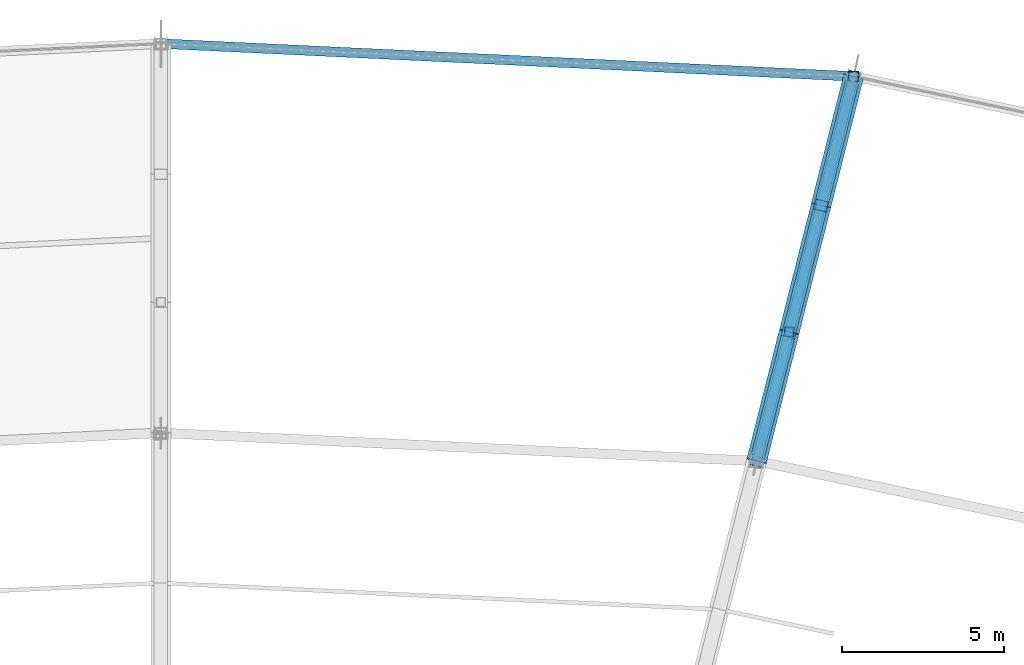
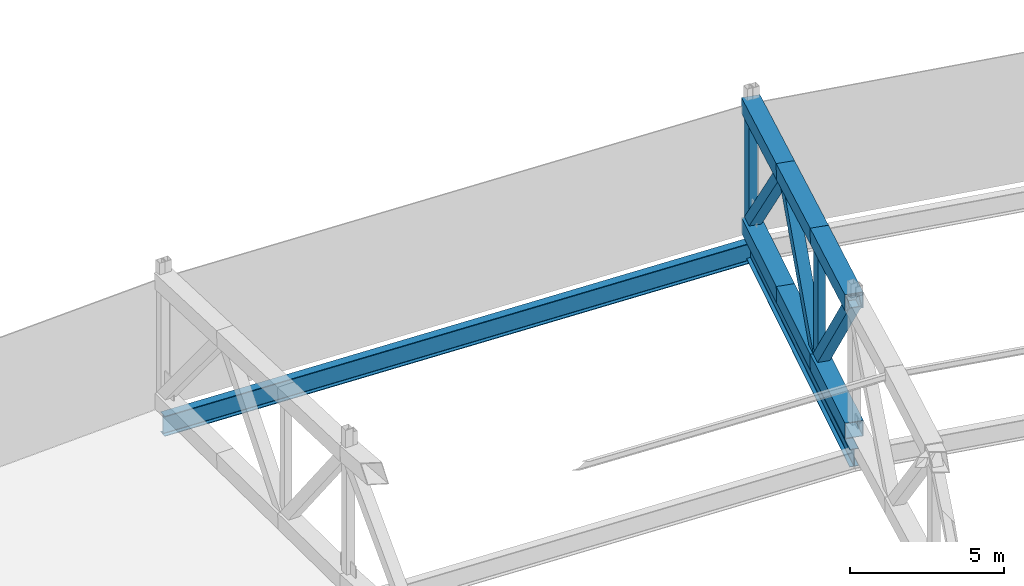
# One storey, part 83 of 162: 11 members, 2 beams.
"""IFC4 building model written with IfcOpenShell, lengths in metres."""

from ifc_helpers import new_model, si_unit, direction, frame, origin, origin_2d, place, context, subcontext, project, spatial, hollow_rectangle, i_section, extrude, material, material_profile, profile_set, type_object, element, save


model = new_model("IFC4")

# Units and contexts
model_context = context("Model", 3, precision=1e-05, world=origin(), true_north=direction((0.0, 1.0)))
body_context = subcontext(model_context, "Body", "Model", "MODEL_VIEW")
ifc_project = project(units=[si_unit("LENGTHUNIT", "METRE"), si_unit("AREAUNIT", "SQUARE_METRE"), si_unit("VOLUMEUNIT", "CUBIC_METRE"), si_unit("PLANEANGLEUNIT", "RADIAN"), si_unit("MASSUNIT", "GRAM", prefix="KILO")], contexts=[model_context])

# Site, building, storey
site_placement = place(None, origin())
site = spatial("IfcSite", under=ifc_project, at=site_placement, CompositionType="ELEMENT")
building_placement = place(site_placement, origin())
building = spatial("IfcBuilding", under=site, at=building_placement, Name="Kazemori Nagisa Stadium", CompositionType="ELEMENT")
storey_placement = place(building_placement, frame((0.0, 0.0, 36.719970703125)))
storey = spatial("IfcBuildingStorey", under=building, at=storey_placement, Name="RF", CompositionType="ELEMENT", Elevation=36.719970703125)

# Beams
ifc_material_1 = material(Name="Steel SN490B", Category="steel")
ifc_material_profile_1 = material_profile(ifc_material_1, i_section(OverallWidth=0.300048828125, OverallDepth=0.699951171875, WebThickness=0.012939453125, FlangeThickness=0.02392578125, FilletRadius=0.01806640625, at=origin_2d()), Name="H-700x300x13x24")
ifc_profile_set_1 = profile_set([ifc_material_profile_1], Name="Steel SN490B")
beam_type_1 = type_object("IfcBeamType", Name="Beam_BG-H700", PredefinedType="BEAM", material=ifc_profile_set_1)
beam_1_placement = place(storey_placement, frame((141.427734375, 175.088623046875, -0.6298828125), z_axis=(0.244487324834, 0.969652488263, 0.0), x_axis=(-0.969652488263, 0.244487324834, 0.0)))
element("IfcBeam", 1, at=beam_1_placement, inside=storey, type_object=beam_type_1, Name="Radial girder BG-H700 RF R2-R3-07", PredefinedType="BEAM", context=body_context, shape_type="SweptSolid", body=[
    extrude(i_section(OverallWidth=0.300048828125, OverallDepth=0.699951171875, WebThickness=0.012939453125, FlangeThickness=0.02392578125, FilletRadius=0.01806640625, at=origin_2d()), origin(), (0.0, 0.0, 1.0), 12.2705078125),
])
ifc_material_profile_2 = material_profile(ifc_material_1, i_section(OverallWidth=0.300048828125, OverallDepth=0.800048828125, WebThickness=0.013916015625, FlangeThickness=0.02587890625, FilletRadius=0.01806640625, at=origin_2d()), Name="H-800x300x14x26")
ifc_profile_set_2 = profile_set([ifc_material_profile_2], Name="Steel SN490B")
beam_type_2 = type_object("IfcBeamType", Name="Beam_BG-H800", PredefinedType="BEAM", material=ifc_profile_set_2)
beam_2_placement = place(storey_placement, frame((144.427734375, 186.98681640625, -0.679931640625), z_axis=(-0.998883994571, 0.047230979144, 0.0), x_axis=(-0.047230979144, -0.998883994571, 0.0)))
element("IfcBeam", 2, at=beam_2_placement, inside=storey, type_object=beam_type_2, Name="Roof compression ring beam BG-H800 R3-07", PredefinedType="BEAM", context=body_context, shape_type="SweptSolid", body=[
    extrude(i_section(OverallWidth=0.300048828125, OverallDepth=0.800048828125, WebThickness=0.013916015625, FlangeThickness=0.02587890625, FilletRadius=0.01806640625, at=origin_2d()), origin(), (0.0, 0.0, 1.0), 21.45166015625),
])

# Members
ifc_material_2 = material(Name="Steel STKR490", Category="steel")
ifc_material_profile_3 = material_profile(ifc_material_2, hollow_rectangle(XDim=0.419921875, YDim=0.419921875, WallThickness=0.01611328125, at=origin_2d()), Name="SHS-420x420x16")
ifc_profile_set_3 = profile_set([ifc_material_profile_3], Name="Steel STKR490")
member_type_1 = type_object("IfcMemberType", Name="Member_TB-SHS420", PredefinedType="BRACE", material=ifc_profile_set_3)
member_1_placement = place(storey_placement, frame((144.427734375, 186.98681640625, 0.360107421875), z_axis=(-0.1573210016, -0.623982765376, 0.76543818233), x_axis=(0.969655974534, -0.244473497644, 0.0)))
element("IfcMember", 3, at=member_1_placement, inside=storey, type_object=member_type_1, Name="Roof space truss diagonal RT-07-1", PredefinedType="BRACE", context=body_context, shape_type="SweptSolid", body=[
    extrude(hollow_rectangle(XDim=0.419921875, YDim=0.419921875, WallThickness=0.01611328125, at=origin_2d()), origin(), (0.0, 0.0, 1.0), 6.4013671875),
])
member_2_placement = place(storey_placement, frame((143.420654296875, 182.992431640625, 5.260009765625), z_axis=(-0.156881185303, -0.622124423045, -0.76703943572), x_axis=(0.969645363657, -0.244515579744, 0.0)))
element("IfcMember", 4, at=member_2_placement, inside=storey, type_object=member_type_1, Name="Roof space truss diagonal RT-07-2", PredefinedType="BRACE", context=body_context, shape_type="SweptSolid", body=[
    extrude(hollow_rectangle(XDim=0.419921875, YDim=0.419921875, WallThickness=0.01611328125, at=origin_2d()), origin(), (0.0, 0.0, 1.0), 6.283935546875),
])
member_3_placement = place(storey_placement, frame((142.434814453125, 179.0830078125, 0.43994140625), z_axis=(-0.153249104507, -0.607832387599, 0.779137022964), x_axis=(0.969655974534, -0.244473497644, 0.0)))
element("IfcMember", 5, at=member_3_placement, inside=storey, type_object=member_type_1, Name="Roof space truss diagonal RT-07-3", PredefinedType="BRACE", context=body_context, shape_type="SweptSolid", body=[
    extrude(hollow_rectangle(XDim=0.419921875, YDim=0.419921875, WallThickness=0.01611328125, at=origin_2d()), origin(), (0.0, 0.0, 1.0), 6.571533203125),
])
ifc_material_profile_4 = material_profile(ifc_material_2, hollow_rectangle(XDim=0.6201171875, YDim=0.6201171875, WallThickness=0.02197265625, at=origin_2d()), Name="SHS-620x620x22")
ifc_profile_set_4 = profile_set([ifc_material_profile_4], Name="Steel STKR490")
member_type_2 = type_object("IfcMemberType", Name="Member_TC-SHS620", PredefinedType="CHORD", material=ifc_profile_set_4)
member_4_placement = place(storey_placement, frame((144.427734375, 186.98681640625, 5.10009765625), z_axis=(-0.244289501149, -0.968926188677, 0.038790211698), x_axis=(0.969655974534, -0.244473497644, 0.0)))
element("IfcMember", 6, at=member_4_placement, inside=storey, type_object=member_type_2, Name="Roof space truss top chord RT-07-1", PredefinedType="CHORD", context=body_context, shape_type="SweptSolid", body=[
    extrude(hollow_rectangle(XDim=0.6201171875, YDim=0.6201171875, WallThickness=0.02197265625, at=origin_2d()), origin(), (0.0, 0.0, 1.0), 4.12255859375),
])
member_5_placement = place(storey_placement, frame((144.427734375, 186.98681640625, 0.360107421875), z_axis=(-0.244461950505, -0.969610175083, 0.009719214517), x_axis=(0.969655974534, -0.244473497644, 0.0)))
element("IfcMember", 7, at=member_5_placement, inside=storey, type_object=member_type_2, Name="Roof space truss bottom chord RT-07-1", PredefinedType="CHORD", context=body_context, shape_type="SweptSolid", body=[
    extrude(hollow_rectangle(XDim=0.6201171875, YDim=0.6201171875, WallThickness=0.02197265625, at=origin_2d()), origin(), (0.0, 0.0, 1.0), 4.11962890625),
])
member_6_placement = place(storey_placement, frame((143.420654296875, 182.992431640625, 5.260009765625), z_axis=(-0.244323479661, -0.968883575982, 0.039631470822), x_axis=(0.969645363657, -0.244515579744, 0.0)))
element("IfcMember", 8, at=member_6_placement, inside=storey, type_object=member_type_2, Name="Roof space truss top chord RT-07-2", PredefinedType="CHORD", context=body_context, shape_type="SweptSolid", body=[
    extrude(hollow_rectangle(XDim=0.6201171875, YDim=0.6201171875, WallThickness=0.02197265625, at=origin_2d()), origin(), (0.0, 0.0, 1.0), 4.034912109375),
])
member_7_placement = place(storey_placement, frame((143.420654296875, 182.992431640625, 0.400146484375), z_axis=(-0.244503670054, -0.969598134864, 0.009869761817), x_axis=(0.969645363657, -0.244515579744, 0.0)))
element("IfcMember", 9, at=member_7_placement, inside=storey, type_object=member_type_2, Name="Roof space truss bottom chord RT-07-2", PredefinedType="CHORD", context=body_context, shape_type="SweptSolid", body=[
    extrude(hollow_rectangle(XDim=0.6201171875, YDim=0.6201171875, WallThickness=0.02197265625, at=origin_2d()), origin(), (0.0, 0.0, 1.0), 4.031982421875),
])
member_8_placement = place(storey_placement, frame((142.434814453125, 179.0830078125, 5.419921875), z_axis=(-0.244332157838, -0.969095378035, 0.033999189963), x_axis=(0.969655974534, -0.244473497644, 0.0)))
element("IfcMember", 10, at=member_8_placement, inside=storey, type_object=member_type_2, Name="Roof space truss top chord RT-07-3", PredefinedType="CHORD", context=body_context, shape_type="SweptSolid", body=[
    extrude(hollow_rectangle(XDim=0.6201171875, YDim=0.6201171875, WallThickness=0.02197265625, at=origin_2d()), origin(), (0.0, 0.0, 1.0), 4.121826171875),
])
member_9_placement = place(storey_placement, frame((142.434814453125, 179.0830078125, 0.43994140625), z_axis=(-0.244461950505, -0.969610175083, 0.009719214517), x_axis=(0.969655974534, -0.244473497644, 0.0)))
element("IfcMember", 11, at=member_9_placement, inside=storey, type_object=member_type_2, Name="Roof space truss bottom chord RT-07-3", PredefinedType="CHORD", context=body_context, shape_type="SweptSolid", body=[
    extrude(hollow_rectangle(XDim=0.6201171875, YDim=0.6201171875, WallThickness=0.02197265625, at=origin_2d()), origin(), (0.0, 0.0, 1.0), 4.11962890625),
])
ifc_material_profile_5 = material_profile(ifc_material_2, hollow_rectangle(XDim=0.280029296875, YDim=0.280029296875, WallThickness=0.010009765625, at=origin_2d()), Name="SHS-280x280x10")
ifc_profile_set_5 = profile_set([ifc_material_profile_5], Name="Steel STKR490")
member_type_3 = type_object("IfcMemberType", Name="Member_TS-SHS280", PredefinedType="STRUT", material=ifc_profile_set_5)
member_10_placement = place(storey_placement, frame((142.434814453125, 179.0830078125, 0.43994140625), z_axis=(0.0, 0.0, 1.0), x_axis=(1.0, 0.0, 0.0)))
element("IfcMember", 12, at=member_10_placement, inside=storey, type_object=member_type_3, Name="Roof space truss strut RT-07-3", PredefinedType="STRUT", context=body_context, shape_type="SweptSolid", body=[
    extrude(hollow_rectangle(XDim=0.280029296875, YDim=0.280029296875, WallThickness=0.010009765625, at=origin_2d()), origin(), (0.0, 0.0, 1.0), 4.97998046875),
])
ifc_material_profile_6 = material_profile(ifc_material_2, hollow_rectangle(XDim=0.320068359375, YDim=0.320068359375, WallThickness=0.011962890625, at=origin_2d()), Name="SHS-320x320x12")
ifc_profile_set_6 = profile_set([ifc_material_profile_6], Name="Steel STKR490")
member_type_4 = type_object("IfcMemberType", Name="Member_TS-SHS320", PredefinedType="STRUT", material=ifc_profile_set_6)
member_11_placement = place(storey_placement, frame((144.427734375, 186.98681640625, 0.360107421875), z_axis=(0.0, 0.0, 1.0), x_axis=(1.0, 0.0, 0.0)))
element("IfcMember", 13, at=member_11_placement, inside=storey, type_object=member_type_4, Name="Roof space truss strut RT-07-1", PredefinedType="STRUT", context=body_context, shape_type="SweptSolid", body=[
    extrude(hollow_rectangle(XDim=0.320068359375, YDim=0.320068359375, WallThickness=0.011962890625, at=origin_2d()), origin(), (0.0, 0.0, 1.0), 4.739990234375),
])

save(model, "model.ifc")
